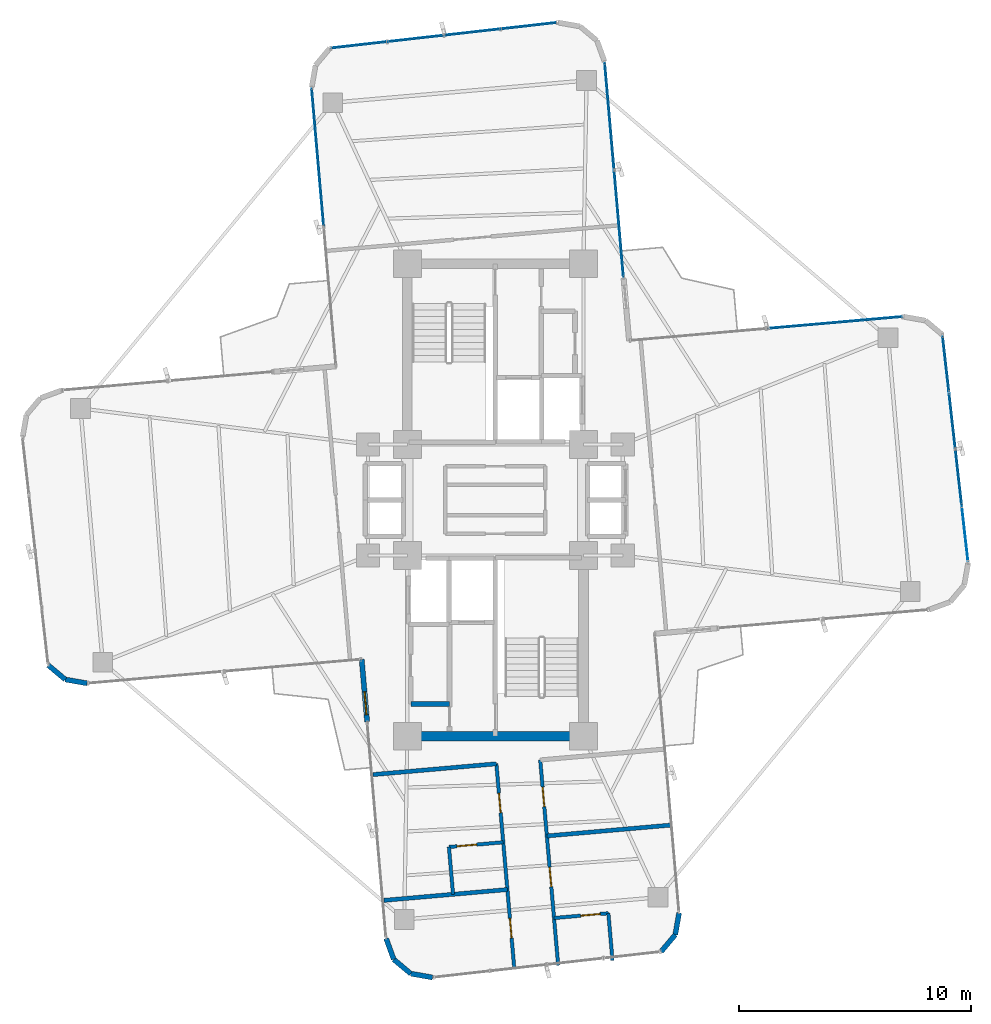
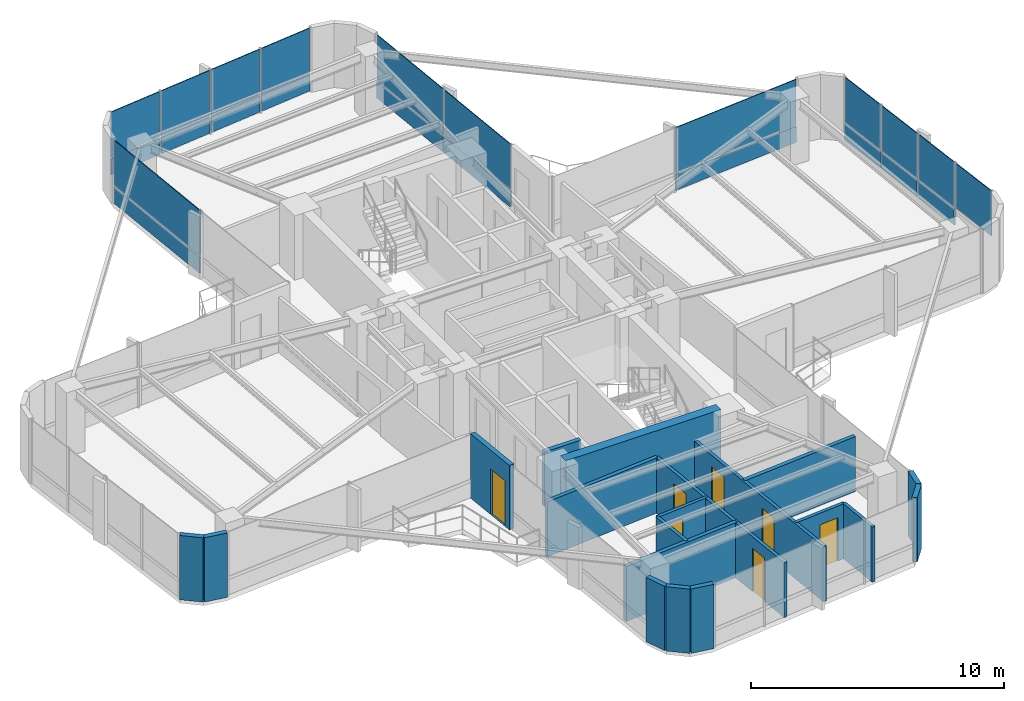
# One storey, part 20 of 24: 23 plates, 19 walls, 7 doors, 7 openings, 5 elements without a shape of their own.
"""IFC4 building model written with IfcOpenShell, lengths in metres."""

import ifcopenshell
import ifcopenshell.guid

model = None  # the IFC model being written
_history = None  # IfcOwnerHistory: only IFC2X3 demands one
_inside = {}  # id of a spatial element -> (the spatial element, [elements in it])
_under = {}  # id of a project, library or spatial element -> (it, [spatial elements below it])
_declared = {}  # id of a project -> (the project, [libraries it declares])
_typed = {}  # id of a type object -> (the type object, [elements of that type])
_made_of = {}  # id of a material, layer set ... -> (it, [elements and type objects made of it])


def new_model(schema):
    """Start an empty IFC model of exactly this schema.

    Asked for "IFC4X3", IfcOpenShell would pick the latest addendum, in which some entities
    have other attributes; the version numbers below select the first issue.
    IFC2X3 requires an IfcOwnerHistory on every rooted entity: one is made here for all.
    """
    global model, _history
    if schema == "IFC4X3":
        model = ifcopenshell.file(schema_version=(4, 3, 0, 0))
    else:
        model = ifcopenshell.file(schema=schema)
    _inside.clear()
    _under.clear()
    _declared.clear()
    _typed.clear()
    _made_of.clear()
    _history = None
    if model.schema == "IFC2X3":
        org = make("IfcOrganization", Name="unknown")
        user = make(
            "IfcPersonAndOrganization",
            ThePerson=make("IfcPerson", FamilyName="unknown"),
            TheOrganization=org,
        )
        app = make(
            "IfcApplication",
            ApplicationDeveloper=org,
            Version="unknown",
            ApplicationFullName="unknown",
            ApplicationIdentifier="unknown",
        )
        _history = make(
            "IfcOwnerHistory",
            OwningUser=user,
            OwningApplication=app,
            ChangeAction="ADDED",
            CreationDate=0,
        )
    return model


def make(cls, **values):
    """One entity of the class cls with the attributes given. An attribute that is None is left unset."""
    return model.create_entity(
        cls, **{name: value for name, value in values.items() if value is not None}
    )


def rooted(cls, **values):
    """An entity with a GlobalId (a new one), such as an element, a storey or a relation."""
    return make(cls, GlobalId=ifcopenshell.guid.new(), OwnerHistory=_history, **values)


def si_unit(unit_type, name, prefix=None):
    """IfcSIUnit, for example si_unit("LENGTHUNIT", "METRE", prefix="MILLI")."""
    return make("IfcSIUnit", UnitType=unit_type, Prefix=prefix, Name=name)


def assignment(units):
    """IfcUnitAssignment: the units of a project."""
    return None if units is None else make("IfcUnitAssignment", Units=units)


def point(xyz):
    """IfcCartesianPoint."""
    return None if xyz is None else make("IfcCartesianPoint", Coordinates=xyz)


def direction(xyz):
    """IfcDirection."""
    return None if xyz is None else make("IfcDirection", DirectionRatios=xyz)


def frame(location, z_axis=None, x_axis=None):
    """IfcAxis2Placement3D, a coordinate frame: its origin and axes. An axis left out is left unset."""
    return make(
        "IfcAxis2Placement3D",
        Location=point(location),
        Axis=direction(z_axis),
        RefDirection=direction(x_axis),
    )


def frame_2d(location, x_axis=None):
    """IfcAxis2Placement2D, a coordinate frame in the plane: its origin and x axis."""
    return make(
        "IfcAxis2Placement2D", Location=point(location), RefDirection=direction(x_axis)
    )


def origin():
    """The frame at (0, 0, 0) with its axes left unset."""
    return frame((0.0, 0.0, 0.0))


def origin_2d():
    """The frame at (0, 0) in the plane with its x axis left unset."""
    return frame_2d((0.0, 0.0))


def place(relative_to, where):
    """IfcLocalPlacement: puts the frame where relative to a parent placement (None: the world)."""
    return make(
        "IfcLocalPlacement", PlacementRelTo=relative_to, RelativePlacement=where
    )


def context(
    kind, dimensions, precision=None, world=None, true_north=None, identifier=None
):
    """IfcGeometricRepresentationContext, for example the 3D "Model" context."""
    return make(
        "IfcGeometricRepresentationContext",
        ContextIdentifier=identifier,
        ContextType=kind,
        CoordinateSpaceDimension=dimensions,
        Precision=precision,
        WorldCoordinateSystem=world,
        TrueNorth=true_north,
    )


def subcontext(parent, identifier, kind, view, scale=None):
    """IfcGeometricRepresentationSubContext, for example "Body" below "Model"."""
    return make(
        "IfcGeometricRepresentationSubContext",
        ContextIdentifier=identifier,
        ContextType=kind,
        ParentContext=parent,
        TargetScale=scale,
        TargetView=view,
    )


def project(units=None, contexts=None):
    """IfcProject with its units and contexts."""
    return rooted(
        "IfcProject",
        Name="project",
        RepresentationContexts=contexts,
        UnitsInContext=assignment(units),
    )


def spatial(cls, under=None, at=None, **own):
    """A site, building, storey or space (cls), placed at a placement, below another one or the project."""
    s = rooted(cls, ObjectPlacement=at, **own)
    if under is not None:
        _under.setdefault(under.id(), (under, []))[1].append(s)
    return s


def profile(cls, at=None, kind="AREA", **sizes):
    """A parametric profile (cls). Its sizes go by their IFC names, for example OverallWidth=200.0."""
    return make(cls, ProfileType=kind, Position=at, **sizes)


def rectangle(**sizes):
    """IfcRectangleProfileDef."""
    return profile("IfcRectangleProfileDef", **sizes)


def extrude(swept, where, along, depth):
    """IfcExtrudedAreaSolid: the profile swept, set in the frame where, extruded along a direction by depth."""
    return make(
        "IfcExtrudedAreaSolid",
        SweptArea=swept,
        Position=where,
        ExtrudedDirection=direction(along),
        Depth=depth,
    )


def shape(context_of_items, identifier, shape_type, items):
    """IfcShapeRepresentation: the items that make up one representation, for example the "Body"."""
    return make(
        "IfcShapeRepresentation",
        ContextOfItems=context_of_items,
        RepresentationIdentifier=identifier,
        RepresentationType=shape_type,
        Items=items,
    )


def source(mapping_origin, context_of_items, identifier, shape_type, items):
    """IfcRepresentationMap: a shape defined once, which mapped items show again and again."""
    return make(
        "IfcRepresentationMap",
        MappingOrigin=mapping_origin,
        MappedRepresentation=shape(context_of_items, identifier, shape_type, items),
    )


def transform(
    local_origin,
    x_axis=None,
    y_axis=None,
    z_axis=None,
    scale=None,
    scale2=None,
    scale3=None,
    uniform=True,
):
    """IfcCartesianTransformationOperator3D, or its non-uniform kind. x_axis, y_axis, z_axis: its Axis1, 2, 3."""
    if uniform:
        return make(
            "IfcCartesianTransformationOperator3D",
            Axis1=direction(x_axis),
            Axis2=direction(y_axis),
            LocalOrigin=point(local_origin),
            Scale=scale,
            Axis3=direction(z_axis),
        )
    return make(
        "IfcCartesianTransformationOperator3DnonUniform",
        Axis1=direction(x_axis),
        Axis2=direction(y_axis),
        LocalOrigin=point(local_origin),
        Scale=scale,
        Axis3=direction(z_axis),
        Scale2=scale2,
        Scale3=scale3,
    )


def mapped(mapping_source, mapping_target):
    """IfcMappedItem: shows the shape of a source again, moved by a transform."""
    return make(
        "IfcMappedItem", MappingSource=mapping_source, MappingTarget=mapping_target
    )


def material(Name=None, Category=None):
    """IfcMaterial."""
    return make("IfcMaterial", Name=Name, Category=Category)


def layer(
    of_material, thickness, ventilated=None, Name=None, Category=None, Priority=None
):
    """IfcMaterialLayer: one layer of a wall or slab, of a material (None: an air gap)."""
    return make(
        "IfcMaterialLayer",
        Material=of_material,
        LayerThickness=thickness,
        IsVentilated=ventilated,
        Name=Name,
        Category=Category,
        Priority=Priority,
    )


def layer_set(layers, Name=None):
    """IfcMaterialLayerSet."""
    return make("IfcMaterialLayerSet", MaterialLayers=layers, LayerSetName=Name)


def made_of(thing, what):
    """Note that an element or type object is made of a material, layer set ...; save() writes the relation."""
    if what is not None:
        _made_of.setdefault(what.id(), (what, []))[1].append(thing)
    return thing


def type_object(cls, material=None, **own):
    """A type object (cls), such as IfcWallType, which elements share."""
    return made_of(rooted(cls, **own), material)


def element(
    cls,
    number,
    at=None,
    inside=None,
    cuts=None,
    type_object=None,
    material=None,
    context=None,
    identifier="Body",
    shape_type=None,
    held_by="IfcProductDefinitionShape",
    body=None,
    shapes=None,
    **own,
):
    """One element of the class cls, such as IfcWall. Its Tag is "e" and its number.

    at: its placement. inside: the storey or other place that contains it. cuts: it is an
    opening in that element (IfcRelVoidsElement). A single representation is given by context,
    identifier, shape_type and body (its items); several are given by shapes. held_by: the class
    of the entity that holds the representations. save() writes the other relations.
    """
    e = rooted(cls, Tag="e%d" % number, ObjectPlacement=at, **own)
    if body is not None:
        shapes = [shape(context, identifier, shape_type, body)]
    if shapes is not None:
        e.Representation = make(held_by, Representations=shapes)
    if inside is not None:
        _inside.setdefault(inside.id(), (inside, []))[1].append(e)
    if cuts is not None:
        rooted(
            "IfcRelVoidsElement", RelatingBuildingElement=cuts, RelatedOpeningElement=e
        )
    if type_object is not None:
        _typed.setdefault(type_object.id(), (type_object, []))[1].append(e)
    return made_of(e, material)


def fill(opening, filler):
    """IfcRelFillsElement: the door or window that sits in an opening."""
    return rooted(
        "IfcRelFillsElement",
        RelatingOpeningElement=opening,
        RelatedBuildingElement=filler,
    )


def aggregate(whole, parts):
    """IfcRelAggregates: a whole, such as a stair, and the parts it consists of."""
    return rooted("IfcRelAggregates", RelatingObject=whole, RelatedObjects=parts)


def save(model, path):
    """Write the relations noted so far, then the file.

    IfcRelAggregates (storeys below a building ...), IfcRelContainedInSpatialStructure (elements
    in a storey), IfcRelDefinesByType, IfcRelAssociatesMaterial and IfcRelDeclares: one each for
    every whole, place, type object, material and project.
    """
    for whole, parts in _under.values():
        aggregate(whole, parts)
    for where, things in _inside.values():
        rooted(
            "IfcRelContainedInSpatialStructure",
            RelatedElements=things,
            RelatingStructure=where,
        )
    for kind, things in _typed.values():
        rooted("IfcRelDefinesByType", RelatedObjects=things, RelatingType=kind)
    for what, things in _made_of.values():
        rooted("IfcRelAssociatesMaterial", RelatedObjects=things, RelatingMaterial=what)
    for by, libraries in _declared.values():
        rooted("IfcRelDeclares", RelatingContext=by, RelatedDefinitions=libraries)
    model.write(path)


model = new_model("IFC4")

# Units and contexts
model_context = context("Model", 3, precision=1e-05, world=origin(), true_north=direction((0.0, 1.0)))
body_context = subcontext(model_context, "Body", "Model", "MODEL_VIEW")
ifc_project = project(units=[si_unit("LENGTHUNIT", "METRE"), si_unit("AREAUNIT", "SQUARE_METRE"), si_unit("VOLUMEUNIT", "CUBIC_METRE"), si_unit("PLANEANGLEUNIT", "RADIAN"), si_unit("MASSUNIT", "GRAM", prefix="KILO")], contexts=[model_context])

# Site, building, storey
site_placement = place(None, origin())
site = spatial("IfcSite", under=ifc_project, at=site_placement, CompositionType="ELEMENT")
building_placement = place(site_placement, origin())
building = spatial("IfcBuilding", under=site, at=building_placement, Name="Sahyath Konkavel Grand Hotel", CompositionType="ELEMENT")
storey_placement = place(building_placement, frame((0.0, 0.0, 160.64990234375)))
storey = spatial("IfcBuildingStorey", under=building, at=storey_placement, Name="L44", CompositionType="ELEMENT", Elevation=160.64990234375)

# Curtain wall, plates
ifc_material_1 = material(Name="Anodised Bronze Aluminium & Low-E Glazing", Category="aluminium")
curtain_wall_type = type_object("IfcCurtainWallType", Name="CW-ZONE3", PredefinedType="NOTDEFINED", material=ifc_material_1)
curtain_wall_1_placement = place(storey_placement, origin())
curtain_wall_1 = element("IfcCurtainWall", 1, at=curtain_wall_1_placement, inside=storey, type_object=curtain_wall_type, Name="L44 Unitised Curtain Wall F4", PredefinedType="NOTDEFINED")
ifc_material_2 = material(Name="Warm Buff Sandstone Cladding", Category="masonry")
ifc_layer_1 = layer(ifc_material_2, 0.074951171875)
ifc_layer_set_1 = layer_set([ifc_layer_1], Name="Warm Buff Sandstone Cladding")
plate_type_1 = type_object("IfcPlateType", Name="PNL-SPANDREL-STONE", PredefinedType="SHEET", material=ifc_layer_set_1)
shared_shape_1 = source(origin(), body_context, "Body", "SweptSolid", [
    extrude(rectangle(XDim=2.382080078125, YDim=0.074951171875, at=origin_2d()), origin(), (0.0, 0.0, 1.0), 0.77001953125),
])
plate_1_placement = place(storey_placement, frame((19.99755859375, 0.978515625, 0.0400390625), z_axis=(0.0, 0.0, 1.0), x_axis=(-0.111989252568, 0.993709417943, 0.0)))
plate_1 = element("IfcPlate", 2, at=plate_1_placement, type_object=plate_type_1, Name="L44 Sandstone Relief Spandrel Panel F4-1", PredefinedType="SHEET", context=body_context, shape_type="MappedRepresentation", body=[
    mapped(shared_shape_1, transform((0.0, 0.0, 0.0), scale=1.0)),
])
plate_2_placement = place(storey_placement, frame((19.7216796875, 3.425048828125, 0.0400390625), z_axis=(0.0, 0.0, 1.0), x_axis=(-0.111989252568, 0.993709417943, 0.0)))
plate_2 = element("IfcPlate", 3, at=plate_2_placement, type_object=plate_type_1, Name="L44 Sandstone Relief Spandrel Panel F4-2", PredefinedType="SHEET", context=body_context, shape_type="MappedRepresentation", body=[
    mapped(shared_shape_1, transform((0.0, 0.0, 0.0), scale=1.0)),
])
plate_3_placement = place(storey_placement, frame((19.446044921875, 5.87158203125, 0.0400390625), z_axis=(0.0, 0.0, 1.0), x_axis=(-0.111989252568, 0.993709417943, 0.0)))
plate_3 = element("IfcPlate", 4, at=plate_3_placement, type_object=plate_type_1, Name="L44 Sandstone Relief Spandrel Panel F4-3", PredefinedType="SHEET", context=body_context, shape_type="MappedRepresentation", body=[
    mapped(shared_shape_1, transform((0.0, 0.0, 0.0), scale=1.0)),
])

curtain_wall_2_placement = place(storey_placement, origin())
curtain_wall_2 = element("IfcCurtainWall", 5, at=curtain_wall_2_placement, inside=storey, type_object=curtain_wall_type, Name="L44 Unitised Curtain Wall F12", PredefinedType="NOTDEFINED")
plate_4_placement = place(storey_placement, frame((1.45068359375, 20.47265625, 0.0400390625), z_axis=(0.0, 0.0, 1.0), x_axis=(-0.993707463211, -0.112006596052, 0.0)))
plate_4 = element("IfcPlate", 6, at=plate_4_placement, type_object=plate_type_1, Name="L44 Sandstone Relief Spandrel Panel F12-0", PredefinedType="SHEET", context=body_context, shape_type="MappedRepresentation", body=[
    mapped(shared_shape_1, transform((0.0, 0.0, 0.0), scale=1.0)),
])
plate_5_placement = place(storey_placement, frame((-0.995849609375, 20.197021484375, 0.0400390625), z_axis=(0.0, 0.0, 1.0), x_axis=(-0.993707463211, -0.112006596052, 0.0)))
plate_5 = element("IfcPlate", 7, at=plate_5_placement, type_object=plate_type_1, Name="L44 Sandstone Relief Spandrel Panel F12-1", PredefinedType="SHEET", context=body_context, shape_type="MappedRepresentation", body=[
    mapped(shared_shape_1, transform((0.0, 0.0, 0.0), scale=1.0)),
])
plate_6_placement = place(storey_placement, frame((-3.4423828125, 19.921142578125, 0.0400390625), z_axis=(0.0, 0.0, 1.0), x_axis=(-0.993707463211, -0.112006596052, 0.0)))
plate_6 = element("IfcPlate", 8, at=plate_6_placement, type_object=plate_type_1, Name="L44 Sandstone Relief Spandrel Panel F12-2", PredefinedType="SHEET", context=body_context, shape_type="MappedRepresentation", body=[
    mapped(shared_shape_1, transform((0.0, 0.0, 0.0), scale=1.0)),
])
plate_7_placement = place(storey_placement, frame((-5.888916015625, 19.6455078125, 0.0400390625), z_axis=(0.0, 0.0, 1.0), x_axis=(-0.993707463211, -0.112006596052, 0.0)))
plate_7 = element("IfcPlate", 9, at=plate_7_placement, type_object=plate_type_1, Name="L44 Sandstone Relief Spandrel Panel F12-3", PredefinedType="SHEET", context=body_context, shape_type="MappedRepresentation", body=[
    mapped(shared_shape_1, transform((0.0, 0.0, 0.0), scale=1.0)),
])

# Curtain wall, plate
curtain_wall_3_placement = place(storey_placement, origin())
curtain_wall_3 = element("IfcCurtainWall", 10, at=curtain_wall_3_placement, inside=storey, type_object=curtain_wall_type, Name="L44 Unitised Curtain Wall F7", PredefinedType="NOTDEFINED")
shared_shape_2 = source(origin(), body_context, "Body", "SweptSolid", [
    extrude(rectangle(XDim=5.830078125, YDim=0.074951171875, at=origin_2d()), origin(), (0.0, 0.0, 1.0), 0.77001953125),
])
plate_8_placement = place(storey_placement, frame((14.6435546875, 7.655517578125, 0.0400390625), z_axis=(0.0, 0.0, 1.0), x_axis=(-0.996194698092, -0.087155742748, 0.0)))
plate_8 = element("IfcPlate", 11, at=plate_8_placement, type_object=plate_type_1, Name="L44 Sandstone Relief Spandrel Panel F7-0", PredefinedType="SHEET", context=body_context, shape_type="MappedRepresentation", body=[
    mapped(shared_shape_2, transform((0.0, 0.0, 0.0), scale=1.0)),
])

# Curtain wall, plates
curtain_wall_4_placement = place(storey_placement, origin())
curtain_wall_4 = element("IfcCurtainWall", 12, at=curtain_wall_4_placement, inside=storey, type_object=curtain_wall_type, Name="L44 Unitised Curtain Wall F8", PredefinedType="NOTDEFINED")
shared_shape_3 = source(origin(), body_context, "Body", "SweptSolid", [
    extrude(rectangle(XDim=4.580078125, YDim=0.074951171875, at=origin_2d()), origin(), (0.0, 0.0, 1.0), 0.77001953125),
])
plate_9_placement = place(storey_placement, frame((5.33056640625, 11.929931640625, 0.0400390625), z_axis=(0.0, 0.0, 1.0), x_axis=(-0.087155742748, 0.996194698092, 0.0)))
plate_9 = element("IfcPlate", 13, at=plate_9_placement, type_object=plate_type_1, Name="L44 Sandstone Relief Spandrel Panel F8-0", PredefinedType="SHEET", context=body_context, shape_type="MappedRepresentation", body=[
    mapped(shared_shape_3, transform((0.0, 0.0, 0.0), scale=1.0)),
])
plate_10_placement = place(storey_placement, frame((4.92431640625, 16.572265625, 0.0400390625), z_axis=(0.0, 0.0, 1.0), x_axis=(-0.087155742748, 0.996194698092, 0.0)))
plate_10 = element("IfcPlate", 14, at=plate_10_placement, type_object=plate_type_1, Name="L44 Sandstone Relief Spandrel Panel F8-1", PredefinedType="SHEET", context=body_context, shape_type="MappedRepresentation", body=[
    mapped(shared_shape_3, transform((0.0, 0.0, 0.0), scale=1.0)),
])

# Curtain wall, plate
curtain_wall_5_placement = place(storey_placement, origin())
curtain_wall_5 = element("IfcCurtainWall", 15, at=curtain_wall_5_placement, inside=storey, type_object=curtain_wall_type, Name="L44 Unitised Curtain Wall F15", PredefinedType="NOTDEFINED")
shared_shape_4 = source(origin(), body_context, "Body", "SweptSolid", [
    extrude(rectangle(XDim=5.929931640625, YDim=0.074951171875, at=origin_2d()), origin(), (0.0, 0.0, 1.0), 0.77001953125),
])
plate_11_placement = place(storey_placement, frame((-7.66845703125, 14.79296875, 0.0400390625), z_axis=(0.0, 0.0, 1.0), x_axis=(0.087155742748, -0.996194698092, 0.0)))
plate_11 = element("IfcPlate", 16, at=plate_11_placement, type_object=plate_type_1, Name="L44 Sandstone Relief Spandrel Panel F15-0", PredefinedType="SHEET", context=body_context, shape_type="MappedRepresentation", body=[
    mapped(shared_shape_4, transform((0.0, 0.0, 0.0), scale=1.0)),
])

# Plate
ifc_material_3 = material(Name="Low-E Solar Control Double Glazing", Category="glass")
ifc_layer_2 = layer(ifc_material_3, 0.035888671875)
ifc_layer_set_2 = layer_set([ifc_layer_2], Name="Low-E Solar Control Double Glazing")
plate_type_2 = type_object("IfcPlateType", Name="PNL-VISION-LOWE", PredefinedType="CURTAIN_PANEL", material=ifc_layer_set_2)
shared_shape_5 = source(origin(), body_context, "Body", "SweptSolid", [
    extrude(rectangle(XDim=2.382080078125, YDim=0.035888671875, at=origin_2d()), origin(), (0.0, 0.0, 1.0), 2.179931640625),
])
plate_12_placement = place(storey_placement, frame((20.2734375, -1.468017578125, 0.89013671875), z_axis=(0.0, 0.0, 1.0), x_axis=(-0.111989252568, 0.993709417943, 0.0)))
plate_12 = element("IfcPlate", 17, at=plate_12_placement, type_object=plate_type_2, Name="L44 Low-E Vision Glazing Panel F4-0", PredefinedType="CURTAIN_PANEL", context=body_context, shape_type="MappedRepresentation", body=[
    mapped(shared_shape_5, transform((0.0, 0.0, 0.0), scale=1.0)),
])

plate_13_placement = place(storey_placement, frame((19.99755859375, 0.978515625, 0.89013671875), z_axis=(0.0, 0.0, 1.0), x_axis=(-0.111989252568, 0.993709417943, 0.0)))
plate_13 = element("IfcPlate", 18, at=plate_13_placement, type_object=plate_type_2, Name="L44 Low-E Vision Glazing Panel F4-1", PredefinedType="CURTAIN_PANEL", context=body_context, shape_type="MappedRepresentation", body=[
    mapped(shared_shape_5, transform((0.0, 0.0, 0.0), scale=1.0)),
])

plate_14_placement = place(storey_placement, frame((19.7216796875, 3.425048828125, 0.89013671875), z_axis=(0.0, 0.0, 1.0), x_axis=(-0.111989252568, 0.993709417943, 0.0)))
plate_14 = element("IfcPlate", 19, at=plate_14_placement, type_object=plate_type_2, Name="L44 Low-E Vision Glazing Panel F4-2", PredefinedType="CURTAIN_PANEL", context=body_context, shape_type="MappedRepresentation", body=[
    mapped(shared_shape_5, transform((0.0, 0.0, 0.0), scale=1.0)),
])

plate_15_placement = place(storey_placement, frame((19.446044921875, 5.87158203125, 0.89013671875), z_axis=(0.0, 0.0, 1.0), x_axis=(-0.111989252568, 0.993709417943, 0.0)))
plate_15 = element("IfcPlate", 20, at=plate_15_placement, type_object=plate_type_2, Name="L44 Low-E Vision Glazing Panel F4-3", PredefinedType="CURTAIN_PANEL", context=body_context, shape_type="MappedRepresentation", body=[
    mapped(shared_shape_5, transform((0.0, 0.0, 0.0), scale=1.0)),
])

aggregate(curtain_wall_1, [plate_12, plate_1, plate_13, plate_2, plate_14, plate_3, plate_15])

plate_16_placement = place(storey_placement, frame((1.45068359375, 20.47265625, 0.89013671875), z_axis=(0.0, 0.0, 1.0), x_axis=(-0.993707463211, -0.112006596052, 0.0)))
plate_16 = element("IfcPlate", 21, at=plate_16_placement, type_object=plate_type_2, Name="L44 Low-E Vision Glazing Panel F12-0", PredefinedType="CURTAIN_PANEL", context=body_context, shape_type="MappedRepresentation", body=[
    mapped(shared_shape_5, transform((0.0, 0.0, 0.0), scale=1.0)),
])

plate_17_placement = place(storey_placement, frame((-0.995849609375, 20.197021484375, 0.89013671875), z_axis=(0.0, 0.0, 1.0), x_axis=(-0.993707463211, -0.112006596052, 0.0)))
plate_17 = element("IfcPlate", 22, at=plate_17_placement, type_object=plate_type_2, Name="L44 Low-E Vision Glazing Panel F12-1", PredefinedType="CURTAIN_PANEL", context=body_context, shape_type="MappedRepresentation", body=[
    mapped(shared_shape_5, transform((0.0, 0.0, 0.0), scale=1.0)),
])

plate_18_placement = place(storey_placement, frame((-3.4423828125, 19.921142578125, 0.89013671875), z_axis=(0.0, 0.0, 1.0), x_axis=(-0.993707463211, -0.112006596052, 0.0)))
plate_18 = element("IfcPlate", 23, at=plate_18_placement, type_object=plate_type_2, Name="L44 Low-E Vision Glazing Panel F12-2", PredefinedType="CURTAIN_PANEL", context=body_context, shape_type="MappedRepresentation", body=[
    mapped(shared_shape_5, transform((0.0, 0.0, 0.0), scale=1.0)),
])

plate_19_placement = place(storey_placement, frame((-5.888916015625, 19.6455078125, 0.89013671875), z_axis=(0.0, 0.0, 1.0), x_axis=(-0.993707463211, -0.112006596052, 0.0)))
plate_19 = element("IfcPlate", 24, at=plate_19_placement, type_object=plate_type_2, Name="L44 Low-E Vision Glazing Panel F12-3", PredefinedType="CURTAIN_PANEL", context=body_context, shape_type="MappedRepresentation", body=[
    mapped(shared_shape_5, transform((0.0, 0.0, 0.0), scale=1.0)),
])

aggregate(curtain_wall_2, [plate_4, plate_16, plate_5, plate_17, plate_6, plate_18, plate_7, plate_19])

shared_shape_6 = source(origin(), body_context, "Body", "SweptSolid", [
    extrude(rectangle(XDim=5.830078125, YDim=0.035888671875, at=origin_2d()), origin(), (0.0, 0.0, 1.0), 2.179931640625),
])
plate_20_placement = place(storey_placement, frame((14.6435546875, 7.655517578125, 0.89013671875), z_axis=(0.0, 0.0, 1.0), x_axis=(-0.996194698092, -0.087155742748, 0.0)))
plate_20 = element("IfcPlate", 25, at=plate_20_placement, type_object=plate_type_2, Name="L44 Low-E Vision Glazing Panel F7-0", PredefinedType="CURTAIN_PANEL", context=body_context, shape_type="MappedRepresentation", body=[
    mapped(shared_shape_6, transform((0.0, 0.0, 0.0), scale=1.0)),
])

aggregate(curtain_wall_3, [plate_8, plate_20])

shared_shape_7 = source(origin(), body_context, "Body", "SweptSolid", [
    extrude(rectangle(XDim=4.580078125, YDim=0.035888671875, at=origin_2d()), origin(), (0.0, 0.0, 1.0), 2.179931640625),
])
plate_21_placement = place(storey_placement, frame((5.33056640625, 11.929931640625, 0.89013671875), z_axis=(0.0, 0.0, 1.0), x_axis=(-0.087155742748, 0.996194698092, 0.0)))
plate_21 = element("IfcPlate", 26, at=plate_21_placement, type_object=plate_type_2, Name="L44 Low-E Vision Glazing Panel F8-0", PredefinedType="CURTAIN_PANEL", context=body_context, shape_type="MappedRepresentation", body=[
    mapped(shared_shape_7, transform((0.0, 0.0, 0.0), scale=1.0)),
])

plate_22_placement = place(storey_placement, frame((4.92431640625, 16.572265625, 0.89013671875), z_axis=(0.0, 0.0, 1.0), x_axis=(-0.087155742748, 0.996194698092, 0.0)))
plate_22 = element("IfcPlate", 27, at=plate_22_placement, type_object=plate_type_2, Name="L44 Low-E Vision Glazing Panel F8-1", PredefinedType="CURTAIN_PANEL", context=body_context, shape_type="MappedRepresentation", body=[
    mapped(shared_shape_7, transform((0.0, 0.0, 0.0), scale=1.0)),
])

aggregate(curtain_wall_4, [plate_9, plate_21, plate_10, plate_22])

shared_shape_8 = source(origin(), body_context, "Body", "SweptSolid", [
    extrude(rectangle(XDim=5.929931640625, YDim=0.035888671875, at=origin_2d()), origin(), (0.0, 0.0, 1.0), 2.179931640625),
])
plate_23_placement = place(storey_placement, frame((-7.66845703125, 14.79296875, 0.89013671875), z_axis=(0.0, 0.0, 1.0), x_axis=(0.087155742748, -0.996194698092, 0.0)))
plate_23 = element("IfcPlate", 28, at=plate_23_placement, type_object=plate_type_2, Name="L44 Low-E Vision Glazing Panel F15-0", PredefinedType="CURTAIN_PANEL", context=body_context, shape_type="MappedRepresentation", body=[
    mapped(shared_shape_8, transform((0.0, 0.0, 0.0), scale=1.0)),
])

aggregate(curtain_wall_5, [plate_11, plate_23])

# Walls
ifc_material_4 = material(Name="Concrete C50/60", Category="concrete")
ifc_layer_3 = layer(ifc_material_4, 0.419921875)
ifc_layer_set_3 = layer_set([ifc_layer_3], Name="Concrete C50/60")
wall_type_1 = type_object("IfcWallType", Name="CWALL-420", PredefinedType="SHEAR", material=ifc_layer_set_3)
wall_1_placement = place(storey_placement, frame((-3.550048828125, -10.199951171875, 0.0), z_axis=(0.0, 0.0, 1.0), x_axis=(1.0, 0.0, 0.0)))
element("IfcWall", 29, at=wall_1_placement, inside=storey, type_object=wall_type_1, Name="L44 South Core Shear Wall S", PredefinedType="SHEAR", context=body_context, shape_type="SweptSolid", body=[
    extrude(rectangle(XDim=7.10009765625, YDim=0.419921875, at=frame_2d((3.550048828125, 0.0))), origin(), (0.0, 0.0, 1.0), 3.110107421875),
])
ifc_material_5 = material(Name="Warm Buff Sandstone Insulated Concrete C40/50", Category="masonry")
ifc_layer_4 = layer(ifc_material_5, 0.219970703125)
ifc_layer_set_4 = layer_set([ifc_layer_4], Name="Warm Buff Sandstone Insulated Concrete C40/50")
wall_type_2 = type_object("IfcWallType", Name="WLL-BALC-THRESH", PredefinedType="STANDARD", material=ifc_layer_set_4)
wall_2_placement = place(storey_placement, frame((-19.3037109375, -7.134521484375, 0.0), z_axis=(0.0, 0.0, 1.0), x_axis=(0.766001159887, -0.642839189107, 0.0)))
element("IfcWall", 30, at=wall_2_placement, inside=storey, type_object=wall_type_2, Name="L44 Rounded Corner Sandstone Pier 21", PredefinedType="STANDARD", context=body_context, shape_type="SweptSolid", body=[
    extrude(rectangle(XDim=0.95751953125, YDim=0.219970703125, at=frame_2d((0.478759765625, 0.0))), origin(), (0.0, 0.0, 1.0), 3.110107421875),
])
wall_3_placement = place(storey_placement, frame((-18.5703125, -7.75, 0.0), z_axis=(0.0, 0.0, 1.0), x_axis=(0.984770724397, -0.173858046606, 0.0)))
element("IfcWall", 31, at=wall_3_placement, inside=storey, type_object=wall_type_2, Name="L44 Rounded Corner Sandstone Pier 22", PredefinedType="STANDARD", context=body_context, shape_type="SweptSolid", body=[
    extrude(rectangle(XDim=0.957763671875, YDim=0.219970703125, at=frame_2d((0.47900390625, 0.0))), origin(), (0.0, 0.0, 1.0), 3.110107421875),
])

# Wall, opening, door
wall_4_placement = place(storey_placement, frame((-5.7724609375, -6.87939453125, 0.0), z_axis=(0.0, 0.0, 1.0), x_axis=(0.087168071984, -0.996193619346, 0.0)))
wall_4 = element("IfcWall", 32, at=wall_4_placement, inside=storey, type_object=wall_type_2, Name="L44 Winter-Garden Threshold Wall 24", PredefinedType="STANDARD", context=body_context, shape_type="SweptSolid", body=[
    extrude(rectangle(XDim=2.699951171875, YDim=0.219970703125, at=frame_2d((1.35009765625, 0.0))), origin(), (0.0, 0.0, 1.0), 3.110107421875),
])
opening_1_placement = place(wall_4_placement, frame((1.39990234375, 0.0, 0.0)))
opening_1 = element("IfcOpeningElement", 33, at=opening_1_placement, cuts=wall_4, Name="Opening D-TR1", PredefinedType="OPENING", context=body_context, shape_type="SweptSolid", body=[
    extrude(rectangle(XDim=1.0, YDim=2.199951171875, at=frame_2d((0.5, 1.10009765625))), frame((0.0, 0.1201171875, 0.0), z_axis=(0.0, -1.0, 0.0), x_axis=(1.0, 0.0, 0.0)), (0.0, 0.0, 1.0), 0.239990234375),
])
door_type_1 = type_object("IfcDoorType", Name="DR-TERRACE-1000", OperationType="NOTDEFINED", PredefinedType="DOOR", material=ifc_material_1)
shared_shape_9 = source(origin(), body_context, "Body", "SweptSolid", [
    extrude(rectangle(XDim=1.0, YDim=0.050048828125, at=origin_2d()), origin(), (0.0, 0.0, 1.0), 2.199951171875),
])
door_1_placement = place(opening_1_placement, frame((0.5, 0.0, 0.0)))
door_1 = element("IfcDoor", 34, at=door_1_placement, inside=storey, type_object=door_type_1, Name="L44 Winter-Garden Terrace Door 24", OperationType="SINGLE_SWING_LEFT", OverallHeight=2.199951171875, OverallWidth=1.0, PredefinedType="DOOR", context=body_context, shape_type="MappedRepresentation", body=[
    mapped(shared_shape_9, transform((0.0, 0.0, 0.0), scale=1.0)),
])
fill(opening_1, door_1)

# Walls
wall_5_placement = place(storey_placement, frame((-4.7177734375, -18.93310546875, 0.0), z_axis=(0.0, 0.0, 1.0), x_axis=(0.34188635151, -0.939741306239, 0.0)))
element("IfcWall", 35, at=wall_5_placement, inside=storey, type_object=wall_type_2, Name="L44 Rounded Corner Sandstone Pier 25", PredefinedType="STANDARD", context=body_context, shape_type="SweptSolid", body=[
    extrude(rectangle(XDim=0.95751953125, YDim=0.219970703125, at=frame_2d((0.478759765625, 0.0))), origin(), (0.0, 0.0, 1.0), 3.110107421875),
])
for number, where, z_axis, x_axis, name in (
    (36, (-4.390380859375, -19.8330078125, 0.0), (0.0, 0.0, 1.0), (0.765980978054, -0.642863236823, 0.0), "L44 Rounded Corner Sandstone Pier 26"),
    (37, (-3.65673828125, -20.44873046875, 0.0), (0.0, 0.0, 1.0), (0.984814340885, -0.173610811841, 0.0), "L44 Rounded Corner Sandstone Pier 27"),
):
    element("IfcWall", number, at=place(storey_placement, frame(where, z_axis=z_axis, x_axis=x_axis)), inside=storey, type_object=wall_type_2, Name=name, PredefinedType="STANDARD", context=body_context, shape_type="SweptSolid", body=[
        extrude(rectangle(XDim=0.957763671875, YDim=0.219970703125, at=frame_2d((0.47900390625, 0.0))), origin(), (0.0, 0.0, 1.0), 3.110107421875),
    ])
for number, where, z_axis, x_axis, name in (
    (38, (7.152099609375, -19.5029296875, 0.0), (0.0, 0.0, 1.0), (0.642713642115, 0.766106503196, 0.0), "L44 Rounded Corner Sandstone Pier 29"),
    (39, (7.767578125, -18.769287109375, 0.0), (0.0, 0.0, 1.0), (0.173654409999, 0.984806654064, 0.0), "L44 Rounded Corner Sandstone Pier 30"),
):
    element("IfcWall", number, at=place(storey_placement, frame(where, z_axis=z_axis, x_axis=x_axis)), inside=storey, type_object=wall_type_2, Name=name, PredefinedType="STANDARD", context=body_context, shape_type="SweptSolid", body=[
        extrude(rectangle(XDim=0.95751953125, YDim=0.219970703125, at=frame_2d((0.478759765625, 0.0))), origin(), (0.0, 0.0, 1.0), 3.110107421875),
    ])
ifc_material_6 = material(Name="Concrete C40/50", Category="concrete")
ifc_layer_5 = layer(ifc_material_6, 0.199951171875)
ifc_layer_set_5 = layer_set([ifc_layer_5], Name="Concrete C40/50")
wall_type_3 = type_object("IfcWallType", Name="WLL-CORE-200", PredefinedType="SOLIDWALL", material=ifc_layer_set_5)
wall_6_placement = place(storey_placement, frame((-3.64990234375, -8.81005859375, 0.0), z_axis=(0.0, 0.0, 1.0), x_axis=(1.0, 0.0, 0.0)))
element("IfcWall", 40, at=wall_6_placement, inside=storey, type_object=wall_type_3, Name="L44 Partition SC-REC-S", PredefinedType="SOLIDWALL", context=body_context, shape_type="SweptSolid", body=[
    extrude(rectangle(XDim=1.669921875, YDim=0.199951171875, at=frame_2d((0.8349609375, 0.0))), origin(), (0.0, 0.0, 1.0), 2.66015625),
])
ifc_material_7 = material(Name="Twin-Stud Acoustic Gypsum Plasterboard Partition")
ifc_layer_6 = layer(ifc_material_7, 0.179931640625)
ifc_layer_set_6 = layer_set([ifc_layer_6], Name="Twin-Stud Acoustic Gypsum Plasterboard Partition")
wall_type_4 = type_object("IfcWallType", Name="WLL-DEMISE-180", PredefinedType="PARTITIONING", material=ifc_layer_set_6)
for number, where, z_axis, x_axis, name in (
    (41, (-5.286865234375, -11.85595703125, 0.0), (0.0, 0.0, 1.0), (0.996194212812, 0.087161289348, 0.0), "L44 Partition S-INR"),
    (42, (2.22265625, -14.50439453125, 0.0), (0.0, 0.0, 1.0), (0.996194212812, 0.087161289348, 0.0), "L44 Partition S-S1L-DEM"),
    (43, (0.517822265625, -16.81884765625, 0.0), (0.0, 0.0, 1.0), (-0.996194212812, -0.087161289348, 0.0), "L44 Partition S-S1R-DEM"),
):
    element("IfcWall", number, at=place(storey_placement, frame(where, z_axis=z_axis, x_axis=x_axis)), inside=storey, type_object=wall_type_4, Name=name, PredefinedType="PARTITIONING", context=body_context, shape_type="SweptSolid", body=[
        extrude(rectangle(XDim=5.349853515625, YDim=0.179931640625, at=frame_2d((2.6748046875, 0.0))), origin(), (0.0, 0.0, 1.0), 2.66015625),
    ])

# Wall, openings, doors
ifc_material_8 = material(Name="Fire-Rated Gypsum Plasterboard Partition")
ifc_layer_7 = layer(ifc_material_8, 0.14990234375)
ifc_layer_set_7 = layer_set([ifc_layer_7], Name="Fire-Rated Gypsum Plasterboard Partition")
wall_type_5 = type_object("IfcWallType", Name="WLL-PART-150", PredefinedType="PARTITIONING", material=ifc_layer_set_7)
wall_7_placement = place(storey_placement, frame((1.935546875, -11.22412109375, 0.0), z_axis=(0.0, 0.0, 1.0), x_axis=(0.087151636982, -0.996195057291, 0.0)))
wall_7 = element("IfcWall", 44, at=wall_7_placement, inside=storey, type_object=wall_type_5, Name="L44 Partition S-CL", PredefinedType="PARTITIONING", context=body_context, shape_type="SweptSolid", body=[
    extrude(rectangle(XDim=8.89990234375, YDim=0.14990234375, at=frame_2d((4.449951171875, 0.0))), origin(), (0.0, 0.0, 1.0), 2.66015625),
])
opening_2_placement = place(wall_7_placement, frame((1.172119140625, 0.0, 0.0)))
opening_2 = element("IfcOpeningElement", 45, at=opening_2_placement, cuts=wall_7, Name="Opening D-F06D", PredefinedType="OPENING", context=body_context, shape_type="SweptSolid", body=[
    extrude(rectangle(XDim=0.85009765625, YDim=2.10009765625, at=frame_2d((0.425048828125, 1.050048828125))), frame((0.0, 0.0849609375, 0.0), z_axis=(0.0, -1.0, 0.0), x_axis=(1.0, 0.0, 0.0)), (0.0, 0.0, 1.0), 0.169921875),
])
opening_3_placement = place(wall_7_placement, frame((4.64697265625, 0.0, 0.0)))
opening_3 = element("IfcOpeningElement", 46, at=opening_3_placement, cuts=wall_7, Name="Opening D-F06D", PredefinedType="OPENING", context=body_context, shape_type="SweptSolid", body=[
    extrude(rectangle(XDim=0.85009765625, YDim=2.10009765625, at=frame_2d((0.425048828125, 1.050048828125))), frame((0.0, 0.0849609375, 0.0), z_axis=(0.0, -1.0, 0.0), x_axis=(1.0, 0.0, 0.0)), (0.0, 0.0, 1.0), 0.169921875),
])
ifc_material_9 = material(Name="Fire-Rated Shaft Access Door")
door_type_2 = type_object("IfcDoorType", Name="DR-FD60-850", OperationType="NOTDEFINED", PredefinedType="DOOR", material=ifc_material_9)
shared_shape_10 = source(origin(), body_context, "Body", "SweptSolid", [
    extrude(rectangle(XDim=0.85009765625, YDim=0.050048828125, at=origin_2d()), origin(), (0.0, 0.0, 1.0), 2.10009765625),
])
door_2_placement = place(opening_2_placement, frame((0.425048828125, 0.0, 0.0)))
door_2 = element("IfcDoor", 47, at=door_2_placement, inside=storey, type_object=door_type_2, Name="L44 Door S-S1L-D", OperationType="SINGLE_SWING_LEFT", OverallHeight=2.10009765625, OverallWidth=0.85009765625, PredefinedType="DOOR", context=body_context, shape_type="MappedRepresentation", body=[
    mapped(shared_shape_10, transform((0.0, 0.0, 0.0), scale=1.0)),
])
fill(opening_2, door_2)
door_3_placement = place(opening_3_placement, frame((0.425048828125, 0.0, 0.0)))
door_3 = element("IfcDoor", 48, at=door_3_placement, inside=storey, type_object=door_type_2, Name="L44 Door S-S2L-ED", OperationType="SINGLE_SWING_LEFT", OverallHeight=2.10009765625, OverallWidth=0.85009765625, PredefinedType="DOOR", context=body_context, shape_type="MappedRepresentation", body=[
    mapped(shared_shape_10, transform((0.0, 0.0, 0.0), scale=1.0)),
])
fill(opening_3, door_3)

wall_8_placement = place(storey_placement, frame((0.042724609375, -11.3896484375, 0.0), z_axis=(0.0, 0.0, 1.0), x_axis=(0.087178860582, -0.996192675273, 0.0)))
wall_8 = element("IfcWall", 49, at=wall_8_placement, inside=storey, type_object=wall_type_5, Name="L44 Partition S-CR", PredefinedType="PARTITIONING", context=body_context, shape_type="SweptSolid", body=[
    extrude(rectangle(XDim=8.89990234375, YDim=0.14990234375, at=frame_2d((4.449951171875, 0.0))), origin(), (0.0, 0.0, 1.0), 2.66015625),
])
opening_4_placement = place(wall_8_placement, frame((1.27490234375, 0.0, 0.0)))
opening_4 = element("IfcOpeningElement", 50, at=opening_4_placement, cuts=wall_8, Name="Opening D-F06D", PredefinedType="OPENING", context=body_context, shape_type="SweptSolid", body=[
    extrude(rectangle(XDim=0.85009765625, YDim=2.10009765625, at=frame_2d((0.425048828125, 1.050048828125))), frame((0.0, 0.0849609375, 0.0), z_axis=(0.0, -1.0, 0.0), x_axis=(1.0, 0.0, 0.0)), (0.0, 0.0, 1.0), 0.169921875),
])
opening_5_placement = place(wall_8_placement, frame((6.699951171875, 0.0, 0.0)))
opening_5 = element("IfcOpeningElement", 51, at=opening_5_placement, cuts=wall_8, Name="Opening D-F06D", PredefinedType="OPENING", context=body_context, shape_type="SweptSolid", body=[
    extrude(rectangle(XDim=0.85009765625, YDim=2.10009765625, at=frame_2d((0.425048828125, 1.050048828125))), frame((0.0, 0.0849609375, 0.0), z_axis=(0.0, -1.0, 0.0), x_axis=(1.0, 0.0, 0.0)), (0.0, 0.0, 1.0), 0.169921875),
])
door_4_placement = place(opening_4_placement, frame((0.425048828125, 0.0, 0.0)))
door_4 = element("IfcDoor", 52, at=door_4_placement, inside=storey, type_object=door_type_2, Name="L44 Door S-S1R-ED", OperationType="SINGLE_SWING_LEFT", OverallHeight=2.10009765625, OverallWidth=0.85009765625, PredefinedType="DOOR", context=body_context, shape_type="MappedRepresentation", body=[
    mapped(shared_shape_10, transform((0.0, 0.0, 0.0), scale=1.0)),
])
fill(opening_4, door_4)
door_5_placement = place(opening_5_placement, frame((0.425048828125, 0.0, 0.0)))
door_5 = element("IfcDoor", 53, at=door_5_placement, inside=storey, type_object=door_type_2, Name="L44 Door S-S2R-D", OperationType="SINGLE_SWING_RIGHT", OverallHeight=2.10009765625, OverallWidth=0.85009765625, PredefinedType="DOOR", context=body_context, shape_type="MappedRepresentation", body=[
    mapped(shared_shape_10, transform((0.0, 0.0, 0.0), scale=1.0)),
])
fill(opening_5, door_5)

# Wall, opening, door
wall_9_placement = place(storey_placement, frame((2.53271484375, -18.0478515625, 0.0), z_axis=(0.0, 0.0, 1.0), x_axis=(0.996197656711, 0.087121918963, 0.0)))
wall_9 = element("IfcWall", 54, at=wall_9_placement, inside=storey, type_object=wall_type_5, Name="L44 Partition S-S2L-BS", PredefinedType="PARTITIONING", context=body_context, shape_type="SweptSolid", body=[
    extrude(rectangle(XDim=2.35400390625, YDim=0.14990234375, at=frame_2d((1.177001953125, 0.0))), origin(), (0.0, 0.0, 1.0), 2.66015625),
])
opening_6_placement = place(wall_9_placement, frame((1.154052734375, 0.0, 0.0)))
opening_6 = element("IfcOpeningElement", 55, at=opening_6_placement, cuts=wall_9, Name="Opening D-BT85", PredefinedType="OPENING", context=body_context, shape_type="SweptSolid", body=[
    extrude(rectangle(XDim=0.85009765625, YDim=2.10009765625, at=frame_2d((0.425048828125, 1.050048828125))), frame((0.0, 0.0849609375, 0.0), z_axis=(0.0, -1.0, 0.0), x_axis=(1.0, 0.0, 0.0)), (0.0, 0.0, 1.0), 0.169921875),
])
ifc_material_10 = material(Name="Moisture-Resistant Teak Bathroom Door")
door_type_3 = type_object("IfcDoorType", Name="DR-BATH-850", OperationType="NOTDEFINED", PredefinedType="DOOR", material=ifc_material_10)
door_6_placement = place(opening_6_placement, frame((0.425048828125, 0.0, 0.0)))
door_6 = element("IfcDoor", 56, at=door_6_placement, inside=storey, type_object=door_type_3, Name="L44 Door S-S2L-BD", OperationType="SINGLE_SWING_RIGHT", OverallHeight=2.10009765625, OverallWidth=0.85009765625, PredefinedType="DOOR", context=body_context, shape_type="MappedRepresentation", body=[
    mapped(shared_shape_10, transform((0.0, 0.0, 0.0), scale=1.0)),
])
fill(opening_6, door_6)

# Wall
wall_10_placement = place(storey_placement, frame((4.877685546875, -17.8427734375, 0.0), z_axis=(0.0, 0.0, 1.0), x_axis=(0.087174336889, -0.99619307114, 0.0)))
element("IfcWall", 57, at=wall_10_placement, inside=storey, type_object=wall_type_5, Name="L44 Partition S-S2L-BF", PredefinedType="PARTITIONING", context=body_context, shape_type="SweptSolid", body=[
    extrude(rectangle(XDim=2.050048828125, YDim=0.14990234375, at=frame_2d((1.02490234375, 0.0))), origin(), (0.0, 0.0, 1.0), 2.66015625),
])

# Wall, opening, door
wall_11_placement = place(storey_placement, frame((0.339111328125, -14.776611328125, 0.0), z_axis=(0.0, 0.0, 1.0), x_axis=(-0.996197656711, -0.087121918963, 0.0)))
wall_11 = element("IfcWall", 58, at=wall_11_placement, inside=storey, type_object=wall_type_5, Name="L44 Partition S-S1R-BS", PredefinedType="PARTITIONING", context=body_context, shape_type="SweptSolid", body=[
    extrude(rectangle(XDim=2.35400390625, YDim=0.14990234375, at=frame_2d((1.177001953125, 0.0))), origin(), (0.0, 0.0, 1.0), 2.66015625),
])
opening_7_placement = place(wall_11_placement, frame((1.154052734375, 0.0, 0.0)))
opening_7 = element("IfcOpeningElement", 59, at=opening_7_placement, cuts=wall_11, Name="Opening D-BT85", PredefinedType="OPENING", context=body_context, shape_type="SweptSolid", body=[
    extrude(rectangle(XDim=0.85009765625, YDim=2.10009765625, at=frame_2d((0.425048828125, 1.050048828125))), frame((0.0, 0.0849609375, 0.0), z_axis=(0.0, -1.0, 0.0), x_axis=(1.0, 0.0, 0.0)), (0.0, 0.0, 1.0), 0.169921875),
])
door_7_placement = place(opening_7_placement, frame((0.425048828125, 0.0, 0.0)))
door_7 = element("IfcDoor", 60, at=door_7_placement, inside=storey, type_object=door_type_3, Name="L44 Door S-S1R-BD", OperationType="SINGLE_SWING_RIGHT", OverallHeight=2.10009765625, OverallWidth=0.85009765625, PredefinedType="DOOR", context=body_context, shape_type="MappedRepresentation", body=[
    mapped(shared_shape_10, transform((0.0, 0.0, 0.0), scale=1.0)),
])
fill(opening_7, door_7)

# Wall
wall_12_placement = place(storey_placement, frame((-2.005859375, -14.981689453125, 0.0), z_axis=(0.0, 0.0, 1.0), x_axis=(0.087174336889, -0.99619307114, 0.0)))
element("IfcWall", 61, at=wall_12_placement, inside=storey, type_object=wall_type_5, Name="L44 Partition S-S1R-BF", PredefinedType="PARTITIONING", context=body_context, shape_type="SweptSolid", body=[
    extrude(rectangle(XDim=2.050048828125, YDim=0.14990234375, at=frame_2d((1.02490234375, 0.0))), origin(), (0.0, 0.0, 1.0), 2.66015625),
])

save(model, "model.ifc")
